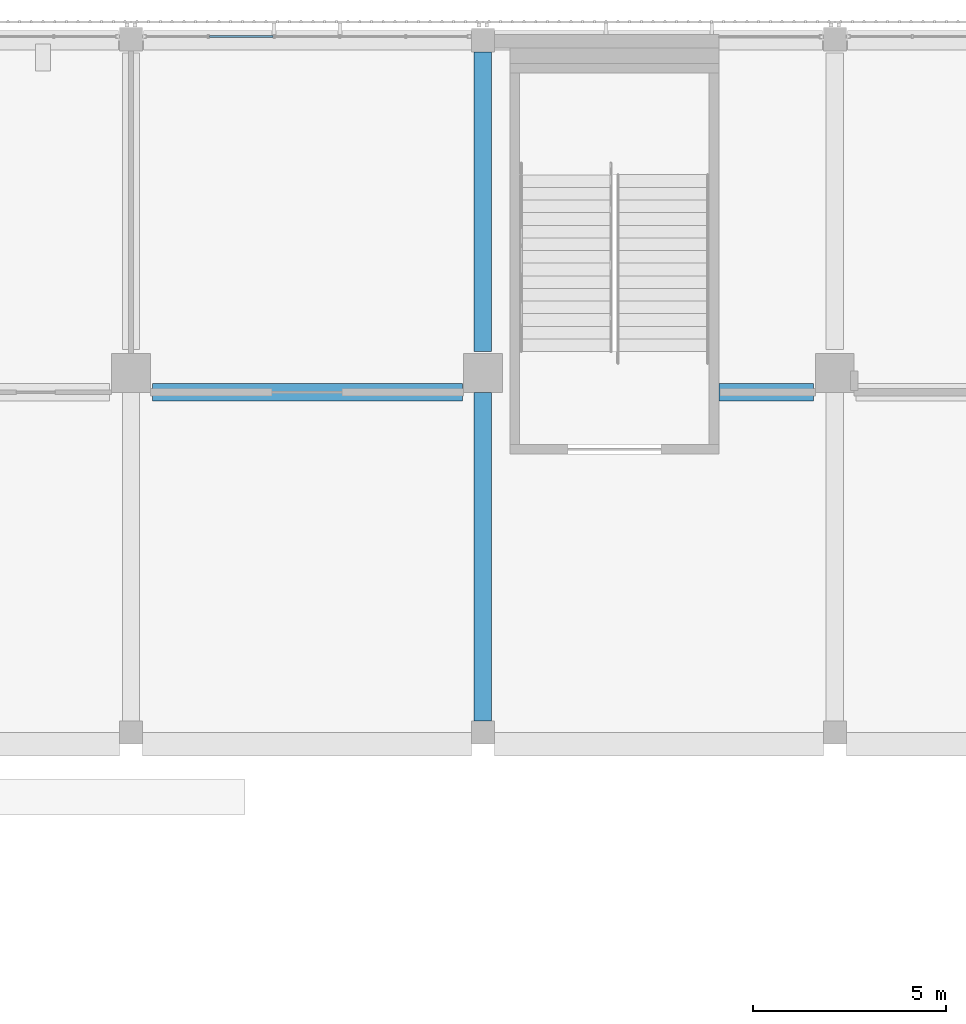
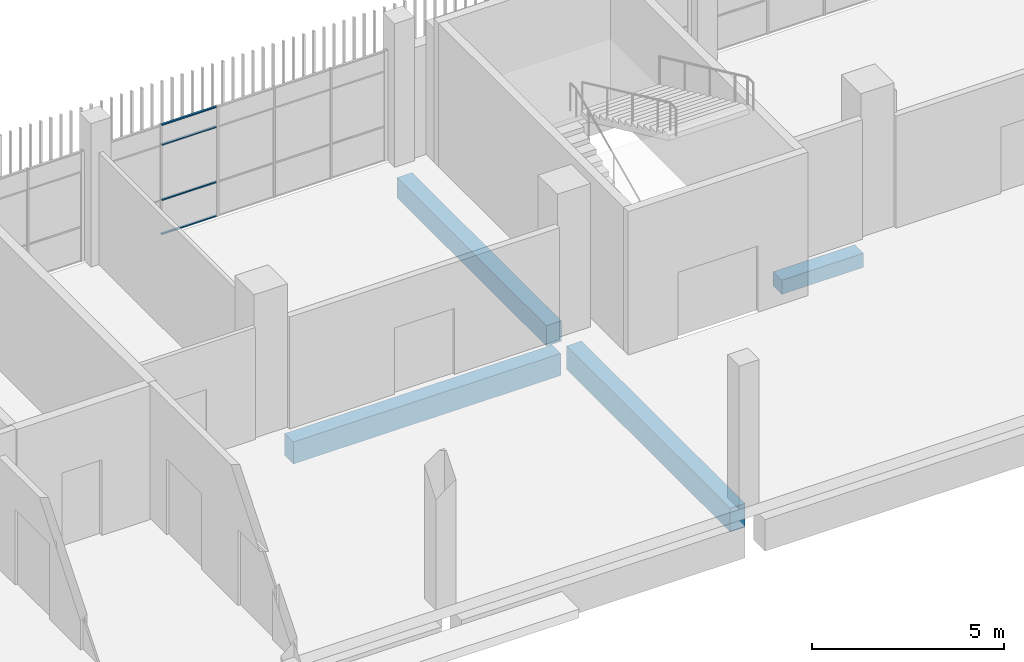
# One storey, part 32 of 126: 4 beams, 4 members, 1 element without a shape of its own.
"""IFC4 building model written with IfcOpenShell, lengths in metres."""

from ifc_helpers import new_model, si_unit, direction, frame, origin, origin_2d, place, context, subcontext, project, spatial, rectangle, hollow_rectangle, extrude, material, layer, layer_set, material_profile, profile_set, type_object, element, aggregate, save


model = new_model("IFC4")

# Units and contexts
model_context = context("Model", 3, precision=1e-05, world=origin(), true_north=direction((0.0, 1.0)))
body_context = subcontext(model_context, "Body", "Model", "MODEL_VIEW")
ifc_project = project(units=[si_unit("LENGTHUNIT", "METRE"), si_unit("AREAUNIT", "SQUARE_METRE"), si_unit("VOLUMEUNIT", "CUBIC_METRE"), si_unit("PLANEANGLEUNIT", "RADIAN"), si_unit("MASSUNIT", "GRAM", prefix="KILO")], contexts=[model_context])

# Site, building, storey
site_placement = place(None, origin())
site = spatial("IfcSite", under=ifc_project, at=site_placement, CompositionType="ELEMENT")
building_placement = place(site_placement, origin())
building = spatial("IfcBuilding", under=site, at=building_placement, Name="Shirokan Park Arena", CompositionType="ELEMENT")
storey_placement = place(building_placement, frame((0.0, 0.0, 6.3701171875)))
storey = spatial("IfcBuildingStorey", under=building, at=storey_placement, Name="L01", CompositionType="ELEMENT", Elevation=6.3701171875)

# Beams
ifc_material_1 = material(Name="Concrete C35", Category="concrete")
ifc_material_profile_1 = material_profile(ifc_material_1, rectangle(XDim=0.449951171875, YDim=0.64990234375, at=origin_2d()), Name="450x650")
ifc_profile_set_1 = profile_set([ifc_material_profile_1], Name="Concrete C35")
beam_type_1 = type_object("IfcBeamType", Name="RC girder 450x650", PredefinedType="BEAM", material=ifc_profile_set_1)
beam_1_placement = place(storey_placement, frame((54.60009765625, 101.150146484375, -0.675048828125), z_axis=(0.0, 1.0, 0.0), x_axis=(-1.0, 0.0, 0.0)))
element("IfcBeam", 1, at=beam_1_placement, inside=storey, type_object=beam_type_1, Name="Girder 7M-7N L01", PredefinedType="BEAM", context=body_context, shape_type="SweptSolid", body=[
    extrude(rectangle(XDim=0.449951171875, YDim=0.64990234375, at=origin_2d()), origin(), (0.0, 0.0, 1.0), 7.749755859375),
])
ifc_material_profile_2 = material_profile(ifc_material_1, rectangle(XDim=0.449951171875, YDim=0.699951171875, at=origin_2d()), Name="450x700")
ifc_profile_set_2 = profile_set([ifc_material_profile_2], Name="Concrete C35")
beam_type_2 = type_object("IfcBeamType", Name="RC girder 450x700", PredefinedType="BEAM", material=ifc_profile_set_2)
beam_2_placement = place(storey_placement, frame((46.050048828125, 100.10009765625, -0.7001953125), z_axis=(1.0, 0.0, 0.0), x_axis=(0.0, 1.0, 0.0)))
element("IfcBeam", 2, at=beam_2_placement, inside=storey, type_object=beam_type_2, Name="Girder 6M-7M L01", PredefinedType="BEAM", context=body_context, shape_type="SweptSolid", body=[
    extrude(rectangle(XDim=0.449951171875, YDim=0.699951171875, at=origin_2d()), origin(), (0.0, 0.0, 1.0), 8.02490234375),
])
ifc_material_profile_3 = material_profile(ifc_material_1, rectangle(XDim=0.449951171875, YDim=0.75, at=origin_2d()), Name="450x750")
ifc_profile_set_3 = profile_set([ifc_material_profile_3], Name="Concrete C35")
beam_type_3 = type_object("IfcBeamType", Name="RC girder 450x750", PredefinedType="BEAM", material=ifc_profile_set_3)
beam_3_placement = place(storey_placement, frame((54.60009765625, 91.60009765625, -0.72509765625), z_axis=(0.0, 1.0, 0.0), x_axis=(-1.0, 0.0, 0.0)))
element("IfcBeam", 3, at=beam_3_placement, inside=storey, type_object=beam_type_3, Name="Girder 7L-7M L01", PredefinedType="BEAM", context=body_context, shape_type="SweptSolid", body=[
    extrude(rectangle(XDim=0.449951171875, YDim=0.75, at=origin_2d()), origin(), (0.0, 0.0, 1.0), 8.499755859375),
])
ifc_material_profile_4 = material_profile(ifc_material_1, rectangle(XDim=0.449951171875, YDim=0.449951171875, at=origin_2d()), Name="450x450")
ifc_profile_set_4 = profile_set([ifc_material_profile_4], Name="Concrete C35")
beam_type_4 = type_object("IfcBeamType", Name="RC trimmer 450x450", PredefinedType="BEAM", material=ifc_profile_set_4)
beam_4_placement = place(storey_placement, frame((60.699951171875, 100.10009765625, -0.5751953125), z_axis=(1.0, 0.0, 0.0), x_axis=(0.0, 1.0, 0.0)))
element("IfcBeam", 4, at=beam_4_placement, inside=storey, type_object=beam_type_4, Name="Girder 7M-8M L01", PredefinedType="BEAM", context=body_context, shape_type="SweptSolid", body=[
    extrude(rectangle(XDim=0.449951171875, YDim=0.449951171875, at=origin_2d()), origin(), (0.0, 0.0, 1.0), 2.449951171875),
])

# Curtain wall, members
ifc_material_2 = material(Name="Steel and glass curtain wall", Category="steel")
ifc_layer = layer(ifc_material_2, 0.10009765625)
ifc_layer_set = layer_set([ifc_layer], Name="Steel and glass curtain wall 100 mm")
curtain_wall_type = type_object("IfcCurtainWallType", Name="Curtain wall sheltered bay 100", PredefinedType="NOTDEFINED", material=ifc_layer_set)
curtain_wall_placement = place(storey_placement, origin())
curtain_wall = element("IfcCurtainWall", 5, at=curtain_wall_placement, inside=storey, type_object=curtain_wall_type, Name="Curtain wall north bay 11 L01", PredefinedType="NOTDEFINED")
ifc_material_3 = material(Name="Steel S355", Category="steel")
ifc_material_profile_5 = material_profile(ifc_material_3, hollow_rectangle(XDim=0.06005859375, YDim=0.0400390625, WallThickness=0.00390625, at=origin_2d()), Name="RHS 60x40x4")
ifc_profile_set_5 = profile_set([ifc_material_profile_5], Name="Steel S355")
member_type = type_object("IfcMemberType", Name="Transom RHS 60x40x4", PredefinedType="MULLION", material=ifc_profile_set_5)
member_1_placement = place(storey_placement, frame((49.175048828125, 109.300048828125, 0.019775390625), z_axis=(-1.0, 0.0, 0.0), x_axis=(0.0, -1.0, 0.0)))
member_1 = element("IfcMember", 6, at=member_1_placement, type_object=member_type, Name="CW2 transom 4.1", PredefinedType="MULLION", context=body_context, shape_type="SweptSolid", body=[
    extrude(hollow_rectangle(XDim=0.06005859375, YDim=0.0400390625, WallThickness=0.00390625, at=origin_2d()), origin(), (0.0, 0.0, 1.0), 1.650146484375),
])
member_2_placement = place(storey_placement, frame((49.175048828125, 109.300048828125, 1.099853515625), z_axis=(-1.0, 0.0, 0.0), x_axis=(0.0, -1.0, 0.0)))
member_2 = element("IfcMember", 7, at=member_2_placement, type_object=member_type, Name="CW2 transom 4.2", PredefinedType="MULLION", context=body_context, shape_type="SweptSolid", body=[
    extrude(hollow_rectangle(XDim=0.06005859375, YDim=0.0400390625, WallThickness=0.00390625, at=origin_2d()), origin(), (0.0, 0.0, 1.0), 1.650146484375),
])
member_3_placement = place(storey_placement, frame((49.175048828125, 109.300048828125, 2.849853515625), z_axis=(-1.0, 0.0, 0.0), x_axis=(0.0, -1.0, 0.0)))
member_3 = element("IfcMember", 8, at=member_3_placement, type_object=member_type, Name="CW2 transom 4.3", PredefinedType="MULLION", context=body_context, shape_type="SweptSolid", body=[
    extrude(hollow_rectangle(XDim=0.06005859375, YDim=0.0400390625, WallThickness=0.00390625, at=origin_2d()), origin(), (0.0, 0.0, 1.0), 1.650146484375),
])
member_4_placement = place(storey_placement, frame((49.175048828125, 109.300048828125, 3.47998046875), z_axis=(-1.0, 0.0, 0.0), x_axis=(0.0, -1.0, 0.0)))
member_4 = element("IfcMember", 9, at=member_4_placement, type_object=member_type, Name="CW2 transom 4.4", PredefinedType="MULLION", context=body_context, shape_type="SweptSolid", body=[
    extrude(hollow_rectangle(XDim=0.06005859375, YDim=0.0400390625, WallThickness=0.00390625, at=origin_2d()), origin(), (0.0, 0.0, 1.0), 1.650146484375),
])
aggregate(curtain_wall, [member_1, member_2, member_3, member_4])

save(model, "model.ifc")
